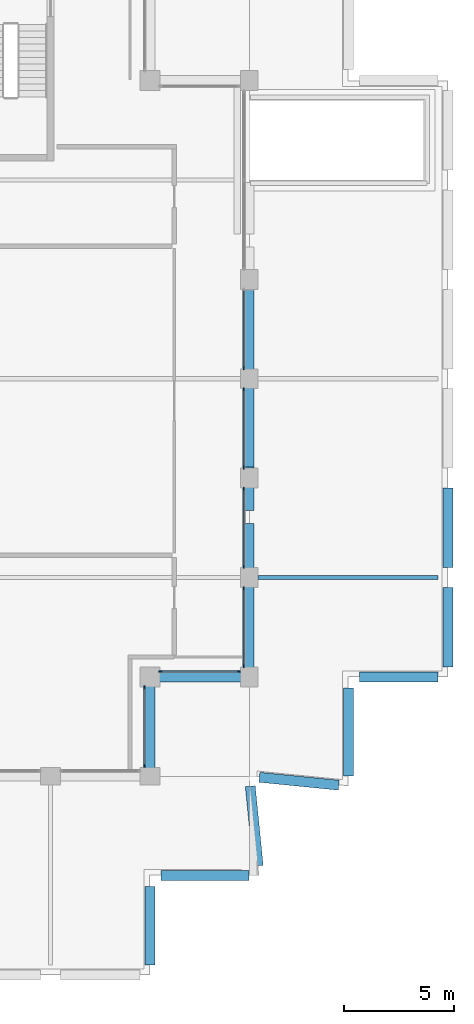
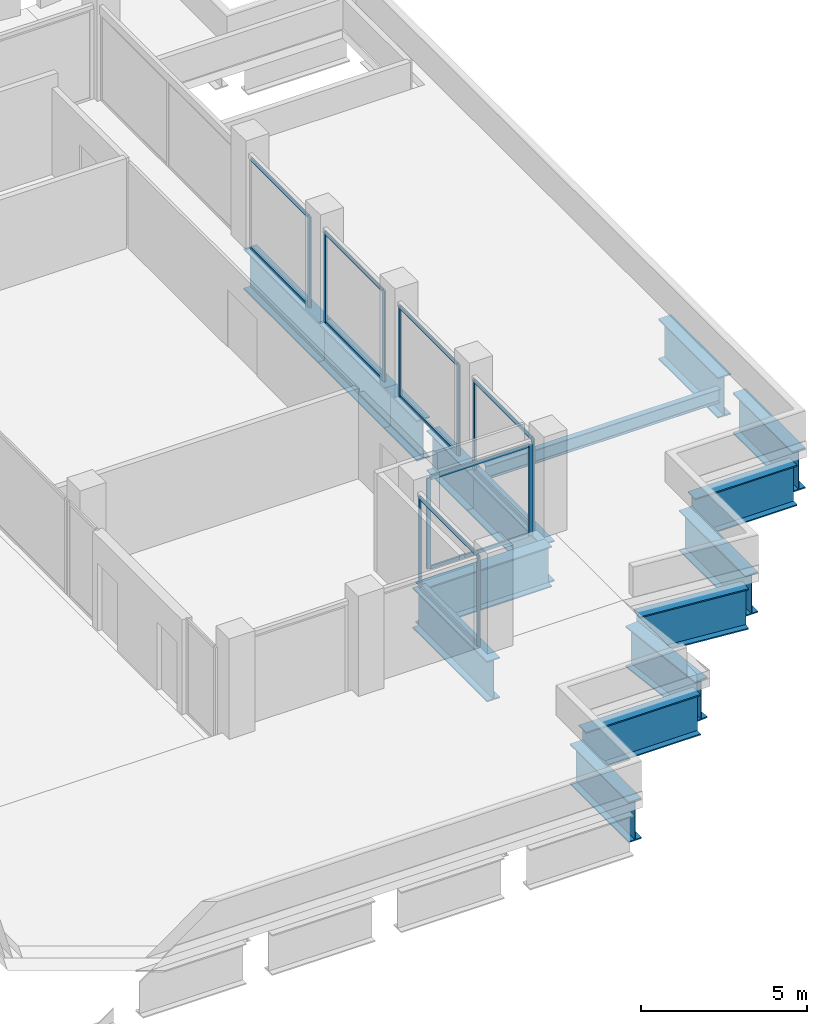
# One storey, part 6 of 14: 23 members, 16 beams, 6 elements without a shape of their own.
"""IFC4 building model written with IfcOpenShell, lengths in metres."""

from ifc_helpers import new_model, si_unit, direction, frame, origin, origin_2d, place, context, subcontext, project, spatial, rectangle, i_section, extrude, material, material_profile, profile_set, type_object, element, aggregate, save


model = new_model("IFC4")

# Units and contexts
model_context = context("Model", 3, precision=1e-05, world=origin(), true_north=direction((0.0, 1.0)))
body_context = subcontext(model_context, "Body", "Model", "MODEL_VIEW")
ifc_project = project(units=[si_unit("LENGTHUNIT", "METRE"), si_unit("AREAUNIT", "SQUARE_METRE"), si_unit("VOLUMEUNIT", "CUBIC_METRE"), si_unit("PLANEANGLEUNIT", "RADIAN"), si_unit("MASSUNIT", "GRAM", prefix="KILO")], contexts=[model_context])

# Site, building, storey
site_placement = place(None, origin())
site = spatial("IfcSite", under=ifc_project, at=site_placement, CompositionType="ELEMENT")
building_placement = place(site_placement, origin())
building = spatial("IfcBuilding", under=site, at=building_placement, Name="Brondeck Convention Tower", CompositionType="ELEMENT")
storey_placement = place(building_placement, frame((0.0, 0.0, 282.800048828125)))
storey = spatial("IfcBuildingStorey", under=building, at=storey_placement, Name="L70", CompositionType="ELEMENT", Elevation=282.800048828125)

# Curtain wall, members
ifc_material_1 = material(Name="Aluminium, bronze anodised", Category="aluminium")
curtain_wall_type = type_object("IfcCurtainWallType", Name="Crown screen curtain wall", PredefinedType="NOTDEFINED", material=ifc_material_1)
curtain_wall_1_placement = place(storey_placement, origin())
curtain_wall_1 = element("IfcCurtainWall", 1, at=curtain_wall_1_placement, inside=storey, type_object=curtain_wall_type, Name="ENV-CW4-L70-K2-NC-KSE-01", PredefinedType="NOTDEFINED")
ifc_material_profile_1 = material_profile(ifc_material_1, rectangle(XDim=0.06005859375, YDim=0.139892578125, at=origin_2d()), Name="CW4 mullion")
ifc_profile_set_1 = profile_set([ifc_material_profile_1], Name="Aluminium, bronze anodised")
member_type_1 = type_object("IfcMemberType", Name="CW4 mullion", PredefinedType="MULLION", material=ifc_profile_set_1)
member_1_placement = place(storey_placement, frame((31.25, 31.02001953125, 0.0), z_axis=(0.0, 0.0, 1.0), x_axis=(1.0, 0.0, 0.0)))
member_1 = element("IfcMember", 2, at=member_1_placement, type_object=member_type_1, Name="CW4 mullion 1", PredefinedType="MULLION", context=body_context, shape_type="SweptSolid", body=[
    extrude(rectangle(XDim=0.06005859375, YDim=0.139892578125, at=origin_2d()), origin(), (0.0, 0.0, 1.0), 3.349853515625),
])
member_2_placement = place(storey_placement, frame((31.25, 27.47998046875, 0.0), z_axis=(0.0, 0.0, 1.0), x_axis=(1.0, 0.0, 0.0)))
member_2 = element("IfcMember", 3, at=member_2_placement, type_object=member_type_1, Name="CW4 mullion 2", PredefinedType="MULLION", context=body_context, shape_type="SweptSolid", body=[
    extrude(rectangle(XDim=0.06005859375, YDim=0.139892578125, at=origin_2d()), origin(), (0.0, 0.0, 1.0), 3.349853515625),
])

curtain_wall_2_placement = place(storey_placement, origin())
curtain_wall_2 = element("IfcCurtainWall", 4, at=curtain_wall_2_placement, inside=storey, type_object=curtain_wall_type, Name="ENV-CW4-L70-K2-NC-KSE-02", PredefinedType="NOTDEFINED")
member_3_placement = place(storey_placement, frame((35.52001953125, 31.75, 0.0), z_axis=(0.0, 0.0, 1.0), x_axis=(0.0, -1.0, 0.0)))
member_3 = element("IfcMember", 5, at=member_3_placement, type_object=member_type_1, Name="CW4 mullion 1", PredefinedType="MULLION", context=body_context, shape_type="SweptSolid", body=[
    extrude(rectangle(XDim=0.06005859375, YDim=0.139892578125, at=origin_2d()), origin(), (0.0, 0.0, 1.0), 3.349853515625),
])
member_4_placement = place(storey_placement, frame((31.97998046875, 31.75, 0.0), z_axis=(0.0, 0.0, 1.0), x_axis=(0.0, -1.0, 0.0)))
member_4 = element("IfcMember", 6, at=member_4_placement, type_object=member_type_1, Name="CW4 mullion 2", PredefinedType="MULLION", context=body_context, shape_type="SweptSolid", body=[
    extrude(rectangle(XDim=0.06005859375, YDim=0.139892578125, at=origin_2d()), origin(), (0.0, 0.0, 1.0), 3.349853515625),
])

curtain_wall_3_placement = place(storey_placement, origin())
curtain_wall_3 = element("IfcCurtainWall", 7, at=curtain_wall_3_placement, inside=storey, type_object=curtain_wall_type, Name="ENV-CW4-L70-K2-K-E-01", PredefinedType="NOTDEFINED")
member_5_placement = place(storey_placement, frame((35.75, 35.52001953125, 0.0), z_axis=(0.0, 0.0, 1.0), x_axis=(1.0, 0.0, 0.0)))
member_5 = element("IfcMember", 8, at=member_5_placement, type_object=member_type_1, Name="CW4 mullion 1", PredefinedType="MULLION", context=body_context, shape_type="SweptSolid", body=[
    extrude(rectangle(XDim=0.06005859375, YDim=0.139892578125, at=origin_2d()), origin(), (0.0, 0.0, 1.0), 3.349853515625),
])
member_6_placement = place(storey_placement, frame((35.75, 31.97998046875, 0.0), z_axis=(0.0, 0.0, 1.0), x_axis=(1.0, 0.0, 0.0)))
member_6 = element("IfcMember", 9, at=member_6_placement, type_object=member_type_1, Name="CW4 mullion 2", PredefinedType="MULLION", context=body_context, shape_type="SweptSolid", body=[
    extrude(rectangle(XDim=0.06005859375, YDim=0.139892578125, at=origin_2d()), origin(), (0.0, 0.0, 1.0), 3.349853515625),
])

curtain_wall_4_placement = place(storey_placement, origin())
curtain_wall_4 = element("IfcCurtainWall", 10, at=curtain_wall_4_placement, inside=storey, type_object=curtain_wall_type, Name="ENV-CW4-L70-K2-K-E-02", PredefinedType="NOTDEFINED")
member_7_placement = place(storey_placement, frame((35.75, 40.02001953125, 0.0), z_axis=(0.0, 0.0, 1.0), x_axis=(1.0, 0.0, 0.0)))
member_7 = element("IfcMember", 11, at=member_7_placement, type_object=member_type_1, Name="CW4 mullion 1", PredefinedType="MULLION", context=body_context, shape_type="SweptSolid", body=[
    extrude(rectangle(XDim=0.06005859375, YDim=0.139892578125, at=origin_2d()), origin(), (0.0, 0.0, 1.0), 3.349853515625),
])
member_8_placement = place(storey_placement, frame((35.75, 36.47998046875, 0.0), z_axis=(0.0, 0.0, 1.0), x_axis=(1.0, 0.0, 0.0)))
member_8 = element("IfcMember", 12, at=member_8_placement, type_object=member_type_1, Name="CW4 mullion 2", PredefinedType="MULLION", context=body_context, shape_type="SweptSolid", body=[
    extrude(rectangle(XDim=0.06005859375, YDim=0.139892578125, at=origin_2d()), origin(), (0.0, 0.0, 1.0), 3.349853515625),
])

curtain_wall_5_placement = place(storey_placement, origin())
curtain_wall_5 = element("IfcCurtainWall", 13, at=curtain_wall_5_placement, inside=storey, type_object=curtain_wall_type, Name="ENV-CW4-L70-K2-K-E-03", PredefinedType="NOTDEFINED")
member_9_placement = place(storey_placement, frame((35.75, 44.52001953125, 0.0), z_axis=(0.0, 0.0, 1.0), x_axis=(1.0, 0.0, 0.0)))
member_9 = element("IfcMember", 14, at=member_9_placement, type_object=member_type_1, Name="CW4 mullion 1", PredefinedType="MULLION", context=body_context, shape_type="SweptSolid", body=[
    extrude(rectangle(XDim=0.06005859375, YDim=0.139892578125, at=origin_2d()), origin(), (0.0, 0.0, 1.0), 3.349853515625),
])
member_10_placement = place(storey_placement, frame((35.75, 40.97998046875, 0.0), z_axis=(0.0, 0.0, 1.0), x_axis=(1.0, 0.0, 0.0)))
member_10 = element("IfcMember", 15, at=member_10_placement, type_object=member_type_1, Name="CW4 mullion 2", PredefinedType="MULLION", context=body_context, shape_type="SweptSolid", body=[
    extrude(rectangle(XDim=0.06005859375, YDim=0.139892578125, at=origin_2d()), origin(), (0.0, 0.0, 1.0), 3.349853515625),
])

# Curtain wall, member
curtain_wall_6_placement = place(storey_placement, origin())
curtain_wall_6 = element("IfcCurtainWall", 16, at=curtain_wall_6_placement, inside=storey, type_object=curtain_wall_type, Name="ENV-CW4-L70-K2-K-E-04", PredefinedType="NOTDEFINED")
member_11_placement = place(storey_placement, frame((35.75, 45.47998046875, 0.0), z_axis=(0.0, 0.0, 1.0), x_axis=(1.0, 0.0, 0.0)))
member_11 = element("IfcMember", 17, at=member_11_placement, type_object=member_type_1, Name="CW4 mullion 2", PredefinedType="MULLION", context=body_context, shape_type="SweptSolid", body=[
    extrude(rectangle(XDim=0.06005859375, YDim=0.139892578125, at=origin_2d()), origin(), (0.0, 0.0, 1.0), 3.349853515625),
])

# Member
ifc_material_profile_2 = material_profile(ifc_material_1, rectangle(XDim=0.06005859375, YDim=0.1201171875, at=origin_2d()), Name="CW4 transom")
ifc_profile_set_2 = profile_set([ifc_material_profile_2], Name="Aluminium, bronze anodised")
member_type_2 = type_object("IfcMemberType", Name="CW4 transom", PredefinedType="USERDEFINED", material=ifc_profile_set_2)
member_12_placement = place(storey_placement, frame((31.25, 30.989990234375, 0.030029296875), z_axis=(0.0, -1.0, 0.0), x_axis=(1.0, 0.0, 0.0)))
member_12 = element("IfcMember", 18, at=member_12_placement, type_object=member_type_2, Name="CW4 transom 1.1", ObjectType="TRANSOM", PredefinedType="USERDEFINED", context=body_context, shape_type="SweptSolid", body=[
    extrude(rectangle(XDim=0.06005859375, YDim=0.1201171875, at=origin_2d()), origin(), (0.0, 0.0, 1.0), 3.47998046875),
])

member_13_placement = place(storey_placement, frame((31.25, 30.989990234375, 3.320068359375), z_axis=(0.0, -1.0, 0.0), x_axis=(1.0, 0.0, 0.0)))
member_13 = element("IfcMember", 19, at=member_13_placement, type_object=member_type_2, Name="CW4 transom 1.2", ObjectType="TRANSOM", PredefinedType="USERDEFINED", context=body_context, shape_type="SweptSolid", body=[
    extrude(rectangle(XDim=0.06005859375, YDim=0.1201171875, at=origin_2d()), origin(), (0.0, 0.0, 1.0), 3.47998046875),
])

aggregate(curtain_wall_1, [member_1, member_2, member_12, member_13])

member_14_placement = place(storey_placement, frame((35.489990234375, 31.75, 0.030029296875), z_axis=(-1.0, 0.0, 0.0), x_axis=(0.0, -1.0, 0.0)))
member_14 = element("IfcMember", 20, at=member_14_placement, type_object=member_type_2, Name="CW4 transom 1.1", ObjectType="TRANSOM", PredefinedType="USERDEFINED", context=body_context, shape_type="SweptSolid", body=[
    extrude(rectangle(XDim=0.06005859375, YDim=0.1201171875, at=origin_2d()), origin(), (0.0, 0.0, 1.0), 3.47998046875),
])

member_15_placement = place(storey_placement, frame((35.489990234375, 31.75, 3.320068359375), z_axis=(-1.0, 0.0, 0.0), x_axis=(0.0, -1.0, 0.0)))
member_15 = element("IfcMember", 21, at=member_15_placement, type_object=member_type_2, Name="CW4 transom 1.2", ObjectType="TRANSOM", PredefinedType="USERDEFINED", context=body_context, shape_type="SweptSolid", body=[
    extrude(rectangle(XDim=0.06005859375, YDim=0.1201171875, at=origin_2d()), origin(), (0.0, 0.0, 1.0), 3.47998046875),
])

aggregate(curtain_wall_2, [member_3, member_4, member_14, member_15])

member_16_placement = place(storey_placement, frame((35.75, 35.489990234375, 0.030029296875), z_axis=(0.0, -1.0, 0.0), x_axis=(1.0, 0.0, 0.0)))
member_16 = element("IfcMember", 22, at=member_16_placement, type_object=member_type_2, Name="CW4 transom 1.1", ObjectType="TRANSOM", PredefinedType="USERDEFINED", context=body_context, shape_type="SweptSolid", body=[
    extrude(rectangle(XDim=0.06005859375, YDim=0.1201171875, at=origin_2d()), origin(), (0.0, 0.0, 1.0), 3.47998046875),
])

member_17_placement = place(storey_placement, frame((35.75, 35.489990234375, 3.320068359375), z_axis=(0.0, -1.0, 0.0), x_axis=(1.0, 0.0, 0.0)))
member_17 = element("IfcMember", 23, at=member_17_placement, type_object=member_type_2, Name="CW4 transom 1.2", ObjectType="TRANSOM", PredefinedType="USERDEFINED", context=body_context, shape_type="SweptSolid", body=[
    extrude(rectangle(XDim=0.06005859375, YDim=0.1201171875, at=origin_2d()), origin(), (0.0, 0.0, 1.0), 3.47998046875),
])

aggregate(curtain_wall_3, [member_5, member_6, member_16, member_17])

member_18_placement = place(storey_placement, frame((35.75, 39.989990234375, 0.030029296875), z_axis=(0.0, -1.0, 0.0), x_axis=(1.0, 0.0, 0.0)))
member_18 = element("IfcMember", 24, at=member_18_placement, type_object=member_type_2, Name="CW4 transom 1.1", ObjectType="TRANSOM", PredefinedType="USERDEFINED", context=body_context, shape_type="SweptSolid", body=[
    extrude(rectangle(XDim=0.06005859375, YDim=0.1201171875, at=origin_2d()), origin(), (0.0, 0.0, 1.0), 3.47998046875),
])

member_19_placement = place(storey_placement, frame((35.75, 39.989990234375, 3.320068359375), z_axis=(0.0, -1.0, 0.0), x_axis=(1.0, 0.0, 0.0)))
member_19 = element("IfcMember", 25, at=member_19_placement, type_object=member_type_2, Name="CW4 transom 1.2", ObjectType="TRANSOM", PredefinedType="USERDEFINED", context=body_context, shape_type="SweptSolid", body=[
    extrude(rectangle(XDim=0.06005859375, YDim=0.1201171875, at=origin_2d()), origin(), (0.0, 0.0, 1.0), 3.47998046875),
])

aggregate(curtain_wall_4, [member_7, member_8, member_18, member_19])

member_20_placement = place(storey_placement, frame((35.75, 44.489990234375, 0.030029296875), z_axis=(0.0, -1.0, 0.0), x_axis=(1.0, 0.0, 0.0)))
member_20 = element("IfcMember", 26, at=member_20_placement, type_object=member_type_2, Name="CW4 transom 1.1", ObjectType="TRANSOM", PredefinedType="USERDEFINED", context=body_context, shape_type="SweptSolid", body=[
    extrude(rectangle(XDim=0.06005859375, YDim=0.1201171875, at=origin_2d()), origin(), (0.0, 0.0, 1.0), 3.47998046875),
])

member_21_placement = place(storey_placement, frame((35.75, 44.489990234375, 3.320068359375), z_axis=(0.0, -1.0, 0.0), x_axis=(1.0, 0.0, 0.0)))
member_21 = element("IfcMember", 27, at=member_21_placement, type_object=member_type_2, Name="CW4 transom 1.2", ObjectType="TRANSOM", PredefinedType="USERDEFINED", context=body_context, shape_type="SweptSolid", body=[
    extrude(rectangle(XDim=0.06005859375, YDim=0.1201171875, at=origin_2d()), origin(), (0.0, 0.0, 1.0), 3.47998046875),
])

aggregate(curtain_wall_5, [member_9, member_10, member_20, member_21])

member_22_placement = place(storey_placement, frame((35.75, 48.989990234375, 0.030029296875), z_axis=(0.0, -1.0, 0.0), x_axis=(1.0, 0.0, 0.0)))
member_22 = element("IfcMember", 28, at=member_22_placement, type_object=member_type_2, Name="CW4 transom 1.1", ObjectType="TRANSOM", PredefinedType="USERDEFINED", context=body_context, shape_type="SweptSolid", body=[
    extrude(rectangle(XDim=0.06005859375, YDim=0.1201171875, at=origin_2d()), origin(), (0.0, 0.0, 1.0), 3.47998046875),
])

member_23_placement = place(storey_placement, frame((35.75, 48.989990234375, 3.320068359375), z_axis=(0.0, -1.0, 0.0), x_axis=(1.0, 0.0, 0.0)))
member_23 = element("IfcMember", 29, at=member_23_placement, type_object=member_type_2, Name="CW4 transom 1.2", ObjectType="TRANSOM", PredefinedType="USERDEFINED", context=body_context, shape_type="SweptSolid", body=[
    extrude(rectangle(XDim=0.06005859375, YDim=0.1201171875, at=origin_2d()), origin(), (0.0, 0.0, 1.0), 3.47998046875),
])

aggregate(curtain_wall_6, [member_11, member_22, member_23])

# Beams
ifc_material_2 = material(Name="Steel S355", Category="steel")
ifc_material_profile_3 = material_profile(ifc_material_2, i_section(OverallWidth=0.199951171875, OverallDepth=0.5, WebThickness=0.01025390625, FlangeThickness=0.01611328125, FilletRadius=0.02099609375, at=origin_2d()), Name="IPE 500")
ifc_profile_set_3 = profile_set([ifc_material_profile_3], Name="Steel S355")
beam_type_1 = type_object("IfcBeamType", Name="Crown frame Floor beam IPE 500", PredefinedType="BEAM", material=ifc_profile_set_3)
beam_1_placement = place(storey_placement, frame((36.39990234375, 36.0, -0.550048828125), z_axis=(1.0, 0.0, 0.0), x_axis=(0.0, 1.0, 0.0)))
element("IfcBeam", 30, at=beam_1_placement, inside=storey, type_object=beam_type_1, Name="STR-FB-L70-S4-A-001", PredefinedType="BEAM", context=body_context, shape_type="SweptSolid", body=[
    extrude(i_section(OverallWidth=0.199951171875, OverallDepth=0.5, WebThickness=0.01025390625, FlangeThickness=0.01611328125, FilletRadius=0.02099609375, at=origin_2d()), origin(), (0.0, 0.0, 1.0), 8.150146484375),
])
ifc_material_3 = material(Name="Steel S460", Category="steel")
ifc_material_profile_4 = material_profile(ifc_material_3, i_section(OverallWidth=0.449951171875, OverallDepth=1.5, WebThickness=0.02490234375, FlangeThickness=0.044921875, at=origin_2d()), Name="PG 1500x450")
ifc_profile_set_4 = profile_set([ifc_material_profile_4], Name="Steel S460")
beam_type_2 = type_object("IfcBeamType", Name="Crown frame Transfer girder PG 1500x450", PredefinedType="BEAM", material=ifc_profile_set_4)
for number, where, z_axis, x_axis, name in (
    (31, (31.5, 27.0, -1.050048828125), (0.0, 1.0, 0.0), (-1.0, 0.0, 0.0), "Crown transfer girder PG-L70K2-4"),
    (32, (31.5, 31.5, -1.050048828125), (1.0, 0.0, 0.0), (0.0, 1.0, 0.0), "Crown transfer girder PG-L70K2-5"),
    (33, (36.0, 31.5, -1.050048828125), (0.0, 1.0, 0.0), (-1.0, 0.0, 0.0), "Crown transfer girder PG-L70K2-6"),
):
    element("IfcBeam", number, at=place(storey_placement, frame(where, z_axis=z_axis, x_axis=x_axis)), inside=storey, type_object=beam_type_2, Name=name, PredefinedType="BEAM", context=body_context, shape_type="SweptSolid", body=[
        extrude(i_section(OverallWidth=0.449951171875, OverallDepth=1.5, WebThickness=0.02490234375, FlangeThickness=0.044921875, at=origin_2d()), origin(), (0.0, 0.0, 1.0), 4.5),
    ])
beam_2_placement = place(storey_placement, frame((36.0, 36.0, -1.050048828125), z_axis=(0.0, 1.0, 0.0), x_axis=(-1.0, 0.0, 0.0)))
element("IfcBeam", 34, at=beam_2_placement, inside=storey, type_object=beam_type_2, Name="Crown transfer girder PG-L70K2-7", PredefinedType="BEAM", context=body_context, shape_type="SweptSolid", body=[
    extrude(i_section(OverallWidth=0.449951171875, OverallDepth=1.5, WebThickness=0.02490234375, FlangeThickness=0.044921875, at=origin_2d()), origin(), (0.0, 0.0, 1.0), 2.449951171875),
])
beam_3_placement = place(storey_placement, frame((36.0, 39.0400390625, -1.050048828125), z_axis=(0.0, 1.0, 0.0), x_axis=(-1.0, 0.0, 0.0)))
element("IfcBeam", 35, at=beam_3_placement, inside=storey, type_object=beam_type_2, Name="Crown transfer girder PG-L70K2-8", PredefinedType="BEAM", context=body_context, shape_type="SweptSolid", body=[
    extrude(i_section(OverallWidth=0.449951171875, OverallDepth=1.5, WebThickness=0.02490234375, FlangeThickness=0.044921875, at=origin_2d()), origin(), (0.0, 0.0, 1.0), 1.969970703125),
])
for number, where, z_axis, x_axis, name in (
    (36, (36.0, 40.5, -1.050048828125), (0.0, 1.0, 0.0), (-1.0, 0.0, 0.0), "Crown transfer girder PG-L70K2-9"),
    (37, (36.0, 45.0, -1.050048828125), (0.0, 1.0, 0.0), (-1.0, 0.0, 0.0), "Crown transfer girder PG-L70K2-10"),
):
    element("IfcBeam", number, at=place(storey_placement, frame(where, z_axis=z_axis, x_axis=x_axis)), inside=storey, type_object=beam_type_2, Name=name, PredefinedType="BEAM", context=body_context, shape_type="SweptSolid", body=[
        extrude(i_section(OverallWidth=0.449951171875, OverallDepth=1.5, WebThickness=0.02490234375, FlangeThickness=0.044921875, at=origin_2d()), origin(), (0.0, 0.0, 1.0), 4.5),
    ])
for number, where, z_axis, x_axis, name in (
    (38, (45.0, 40.050048828125, -1.050048828125), (0.0, -1.0, 0.0), (1.0, 0.0, 0.0), "Crown transfer girder PG-L70-S4-A-8"),
    (39, (45.0, 35.550048828125, -1.050048828125), (0.0, -1.0, 0.0), (1.0, 0.0, 0.0), "Crown transfer girder PG-L70-S4-A-9"),
):
    element("IfcBeam", number, at=place(storey_placement, frame(where, z_axis=z_axis, x_axis=x_axis)), inside=storey, type_object=beam_type_2, Name=name, PredefinedType="BEAM", context=body_context, shape_type="SweptSolid", body=[
        extrude(i_section(OverallWidth=0.449951171875, OverallDepth=1.5, WebThickness=0.02490234375, FlangeThickness=0.044921875, at=origin_2d()), origin(), (0.0, 0.0, 1.0), 3.60009765625),
    ])
beam_4_placement = place(storey_placement, frame((44.550048828125, 31.5, -1.050048828125), z_axis=(-1.0, 0.0, 0.0), x_axis=(0.0, -1.0, 0.0)))
element("IfcBeam", 40, at=beam_4_placement, inside=storey, type_object=beam_type_2, Name="Crown transfer girder PG-L70-S4-A-10", PredefinedType="BEAM", context=body_context, shape_type="SweptSolid", body=[
    extrude(i_section(OverallWidth=0.449951171875, OverallDepth=1.5, WebThickness=0.02490234375, FlangeThickness=0.044921875, at=origin_2d()), origin(), (0.0, 0.0, 1.0), 3.550048828125),
])
beam_5_placement = place(storey_placement, frame((40.5, 31.0, -1.050048828125), z_axis=(0.0, -1.0, 0.0), x_axis=(1.0, 0.0, 0.0)))
element("IfcBeam", 41, at=beam_5_placement, inside=storey, type_object=beam_type_2, Name="Crown transfer girder PG-L70-S4-A-11", PredefinedType="BEAM", context=body_context, shape_type="SweptSolid", body=[
    extrude(i_section(OverallWidth=0.449951171875, OverallDepth=1.5, WebThickness=0.02490234375, FlangeThickness=0.044921875, at=origin_2d()), origin(), (0.0, 0.0, 1.0), 3.997802734375),
])
beam_6_placement = place(storey_placement, frame((40.05224609375, 26.5947265625, -1.050048828125), z_axis=(-0.995035183115, 0.099523787922, 0.0), x_axis=(-0.099523787922, -0.995035183115, 0.0)))
element("IfcBeam", 42, at=beam_6_placement, inside=storey, type_object=beam_type_2, Name="Crown transfer girder PG-L70-S4-A-12", PredefinedType="BEAM", context=body_context, shape_type="SweptSolid", body=[
    extrude(i_section(OverallWidth=0.449951171875, OverallDepth=1.5, WebThickness=0.02490234375, FlangeThickness=0.044921875, at=origin_2d()), origin(), (0.0, 0.0, 1.0), 3.61328125),
])
beam_7_placement = place(storey_placement, frame((36.044677734375, 26.55224609375, -1.050048828125), z_axis=(0.099543756114, -0.995033185687, 0.0), x_axis=(0.995033185687, 0.099543756114, 0.0)))
element("IfcBeam", 43, at=beam_7_placement, inside=storey, type_object=beam_type_2, Name="Crown transfer girder PG-L70-S4-B-1", PredefinedType="BEAM", context=body_context, shape_type="SweptSolid", body=[
    extrude(i_section(OverallWidth=0.449951171875, OverallDepth=1.5, WebThickness=0.02490234375, FlangeThickness=0.044921875, at=origin_2d()), origin(), (0.0, 0.0, 1.0), 3.62255859375),
])
beam_8_placement = place(storey_placement, frame((35.997802734375, 22.5, -1.050048828125), z_axis=(-1.0, 0.0, 0.0), x_axis=(0.0, -1.0, 0.0)))
element("IfcBeam", 44, at=beam_8_placement, inside=storey, type_object=beam_type_2, Name="Crown transfer girder PG-L70-S4-B-2", PredefinedType="BEAM", context=body_context, shape_type="SweptSolid", body=[
    extrude(i_section(OverallWidth=0.449951171875, OverallDepth=1.5, WebThickness=0.02490234375, FlangeThickness=0.044921875, at=origin_2d()), origin(), (0.0, 0.0, 1.0), 3.997802734375),
])
beam_9_placement = place(storey_placement, frame((31.5, 22.0, -1.050048828125), z_axis=(0.0, -1.0, 0.0), x_axis=(1.0, 0.0, 0.0)))
element("IfcBeam", 45, at=beam_9_placement, inside=storey, type_object=beam_type_2, Name="Crown transfer girder PG-L70-S4-B-3", PredefinedType="BEAM", context=body_context, shape_type="SweptSolid", body=[
    extrude(i_section(OverallWidth=0.449951171875, OverallDepth=1.5, WebThickness=0.02490234375, FlangeThickness=0.044921875, at=origin_2d()), origin(), (0.0, 0.0, 1.0), 3.550048828125),
])

save(model, "model.ifc")
